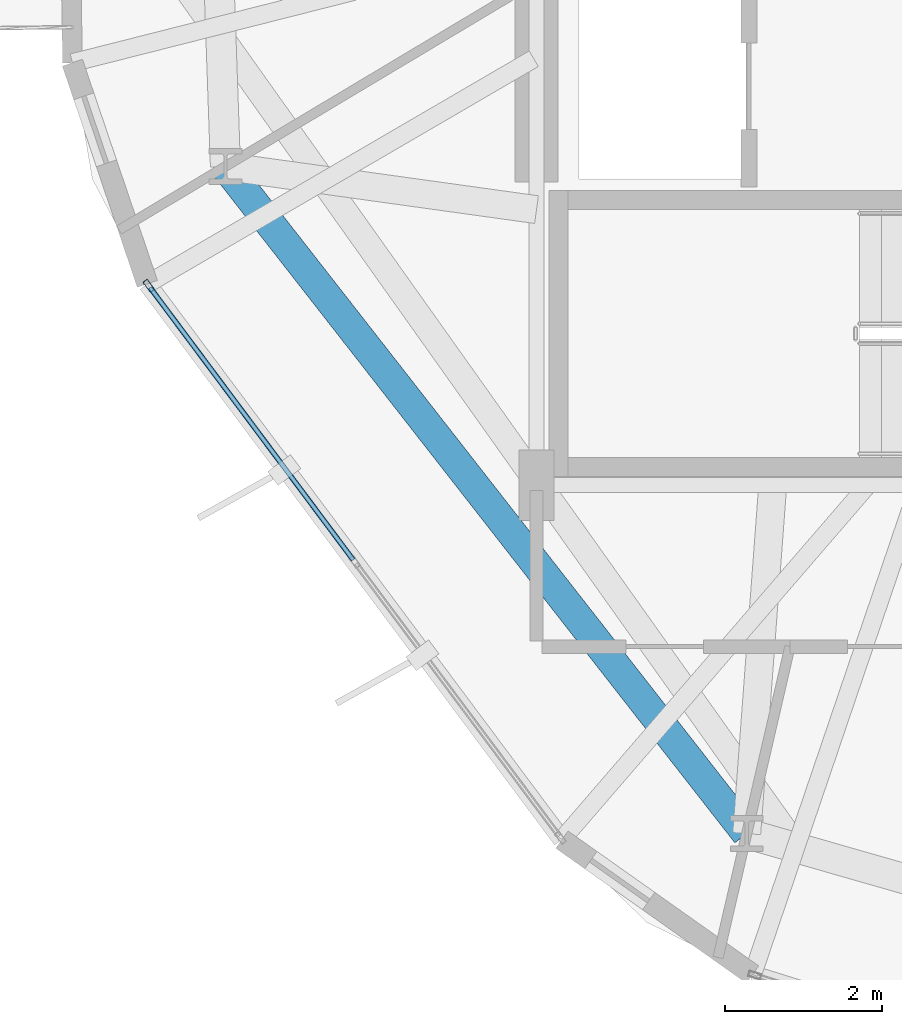
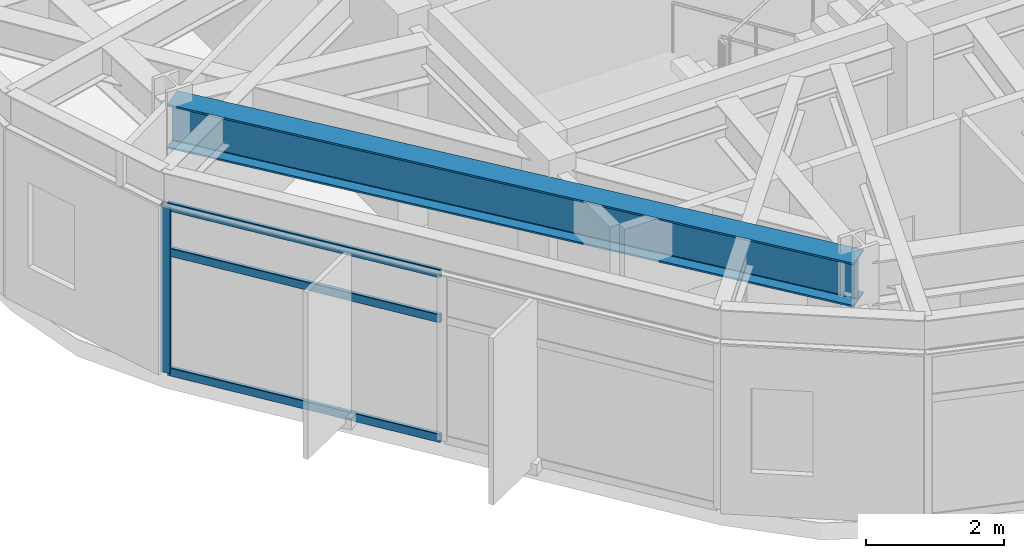
# One storey, part 4 of 25: 4 members, 1 beam, 1 element without a shape of its own.
"""IFC4 building model written with IfcOpenShell, lengths in metres."""

from ifc_helpers import new_model, si_unit, direction, frame, origin, origin_2d, place, context, subcontext, project, spatial, hollow_rectangle, i_section, extrude, material, layer, layer_set, material_profile, profile_set, type_object, element, aggregate, save


model = new_model("IFC4")

# Units and contexts
model_context = context("Model", 3, precision=1e-05, world=origin(), true_north=direction((0.0, 1.0)))
body_context = subcontext(model_context, "Body", "Model", "MODEL_VIEW")
ifc_project = project(units=[si_unit("LENGTHUNIT", "METRE"), si_unit("AREAUNIT", "SQUARE_METRE"), si_unit("VOLUMEUNIT", "CUBIC_METRE"), si_unit("PLANEANGLEUNIT", "RADIAN"), si_unit("MASSUNIT", "GRAM", prefix="KILO")], contexts=[model_context])

# Site, building, storey
site_placement = place(None, origin())
site = spatial("IfcSite", under=ifc_project, at=site_placement, CompositionType="ELEMENT")
building_placement = place(site_placement, origin())
building = spatial("IfcBuilding", under=site, at=building_placement, Name="Soratama Intermodal Tower", CompositionType="ELEMENT")
storey_placement = place(building_placement, frame((0.0, 0.0, 106.89990234375)))
storey = spatial("IfcBuildingStorey", under=building, at=storey_placement, Name="L25", CompositionType="ELEMENT", Elevation=106.89990234375)

# Beam
ifc_material_1 = material(Name="Structural steel ASTM A992 Grade 50", Category="steel")
ifc_material_profile_1 = material_profile(ifc_material_1, i_section(OverallWidth=0.382080078125, OverallDepth=0.779052734375, WebThickness=0.01806640625, FlangeThickness=0.030029296875, FilletRadius=0.01806640625, at=origin_2d()), Name="W30X191")
ifc_profile_set_1 = profile_set([ifc_material_profile_1], Name="Structural steel ASTM A992 Grade 50")
beam_type = type_object("IfcBeamType", Name="BM-RING-W30X191", PredefinedType="BEAM", material=ifc_profile_set_1)
beam_placement = place(storey_placement, frame((28.64892578125, 19.049072265625, 3.210693359375), z_axis=(0.615683690883, -0.787993396407, 0.0), x_axis=(0.787993396407, 0.615683690883, 0.0)))
element("IfcBeam", 1, at=beam_placement, inside=storey, type_object=beam_type, Name="BM-L25-RING-06", PredefinedType="BEAM", context=body_context, shape_type="SweptSolid", body=[
    extrude(i_section(OverallWidth=0.382080078125, OverallDepth=0.779052734375, WebThickness=0.01806640625, FlangeThickness=0.030029296875, FilletRadius=0.01806640625, at=origin_2d()), origin(), (0.0, 0.0, 1.0), 10.754150390625),
])

# Curtain wall, members
ifc_material_2 = material(Name="Double-glazed aluminium curtain wall", Category="aluminium")
ifc_layer = layer(ifc_material_2, 0.159912109375)
ifc_layer_set = layer_set([ifc_layer], Name="Double-glazed aluminium curtain wall")
curtain_wall_type = type_object("IfcCurtainWallType", Name="CW-SYS-3", PredefinedType="NOTDEFINED", material=ifc_layer_set)
curtain_wall_placement = place(storey_placement, origin())
curtain_wall = element("IfcCurtainWall", 2, at=curtain_wall_placement, inside=storey, type_object=curtain_wall_type, Name="L25 Faceted Curtain Wall F06", PredefinedType="NOTDEFINED")
ifc_material_3 = material(Name="Anodised aluminium AA 6063-T6", Category="aluminium")
ifc_material_profile_2 = material_profile(ifc_material_3, hollow_rectangle(XDim=0.070068359375, YDim=0.159912109375, WallThickness=0.0048828125, InnerFilletRadius=0.0048828125, OuterFilletRadius=0.010009765625, at=origin_2d()), Name="CWM160X70X5")
ifc_profile_set_2 = profile_set([ifc_material_profile_2], Name="Anodised aluminium AA 6063-T6")
member_type_1 = type_object("IfcMemberType", Name="MT-CWM-3", PredefinedType="MULLION", material=ifc_profile_set_2)
member_1_placement = place(storey_placement, frame((27.675048828125, 17.53271484375, 0.0), z_axis=(0.0, 0.0, 1.0), x_axis=(0.801564290617, 0.597908595027, 0.0)))
member_1 = element("IfcMember", 3, at=member_1_placement, type_object=member_type_1, Name="CW-3 mullion 1", PredefinedType="MULLION", context=body_context, shape_type="SweptSolid", body=[
    extrude(hollow_rectangle(XDim=0.070068359375, YDim=0.159912109375, WallThickness=0.0048828125, InnerFilletRadius=0.0048828125, OuterFilletRadius=0.010009765625, at=origin_2d()), origin(), (0.0, 0.0, 1.0), 2.97900390625),
])
ifc_material_4 = material(Name="Anodised aluminium AA 6063-T6", Category="aluminium")
ifc_material_profile_3 = material_profile(ifc_material_4, hollow_rectangle(XDim=0.06494140625, YDim=0.14990234375, WallThickness=0.0048828125, InnerFilletRadius=0.0048828125, OuterFilletRadius=0.010009765625, at=origin_2d()), Name="CWT150X65X5")
ifc_profile_set_3 = profile_set([ifc_material_profile_3], Name="Anodised aluminium AA 6063-T6")
member_type_2 = type_object("IfcMemberType", Name="TT-CWT-1", PredefinedType="USERDEFINED", material=ifc_profile_set_3)
member_2_placement = place(storey_placement, frame((27.69287109375, 17.5087890625, 0.030029296875), z_axis=(0.597878745053, -0.80158655566, 0.0), x_axis=(0.80158655566, 0.597878745053, 0.0)))
member_2 = element("IfcMember", 4, at=member_2_placement, type_object=member_type_2, Name="CW-3 transom 1.1", ObjectType="TRANSOM", PredefinedType="USERDEFINED", context=body_context, shape_type="SweptSolid", body=[
    extrude(hollow_rectangle(XDim=0.06494140625, YDim=0.14990234375, WallThickness=0.0048828125, InnerFilletRadius=0.0048828125, OuterFilletRadius=0.010009765625, at=origin_2d()), origin(), (0.0, 0.0, 1.0), 4.313232421875),
])
member_3_placement = place(storey_placement, frame((27.69287109375, 17.5087890625, 2.150146484375), z_axis=(0.597878745053, -0.80158655566, 0.0), x_axis=(0.80158655566, 0.597878745053, 0.0)))
member_3 = element("IfcMember", 5, at=member_3_placement, type_object=member_type_2, Name="CW-3 transom 1.2", ObjectType="TRANSOM", PredefinedType="USERDEFINED", context=body_context, shape_type="SweptSolid", body=[
    extrude(hollow_rectangle(XDim=0.06494140625, YDim=0.14990234375, WallThickness=0.0048828125, InnerFilletRadius=0.0048828125, OuterFilletRadius=0.010009765625, at=origin_2d()), origin(), (0.0, 0.0, 1.0), 4.313232421875),
])
member_4_placement = place(storey_placement, frame((27.69287109375, 17.5087890625, 2.94921875), z_axis=(0.597878745053, -0.80158655566, 0.0), x_axis=(0.80158655566, 0.597878745053, 0.0)))
member_4 = element("IfcMember", 6, at=member_4_placement, type_object=member_type_2, Name="CW-3 transom 1.3", ObjectType="TRANSOM", PredefinedType="USERDEFINED", context=body_context, shape_type="SweptSolid", body=[
    extrude(hollow_rectangle(XDim=0.06494140625, YDim=0.14990234375, WallThickness=0.0048828125, InnerFilletRadius=0.0048828125, OuterFilletRadius=0.010009765625, at=origin_2d()), origin(), (0.0, 0.0, 1.0), 4.313232421875),
])
aggregate(curtain_wall, [member_1, member_2, member_3, member_4])

save(model, "model.ifc")
